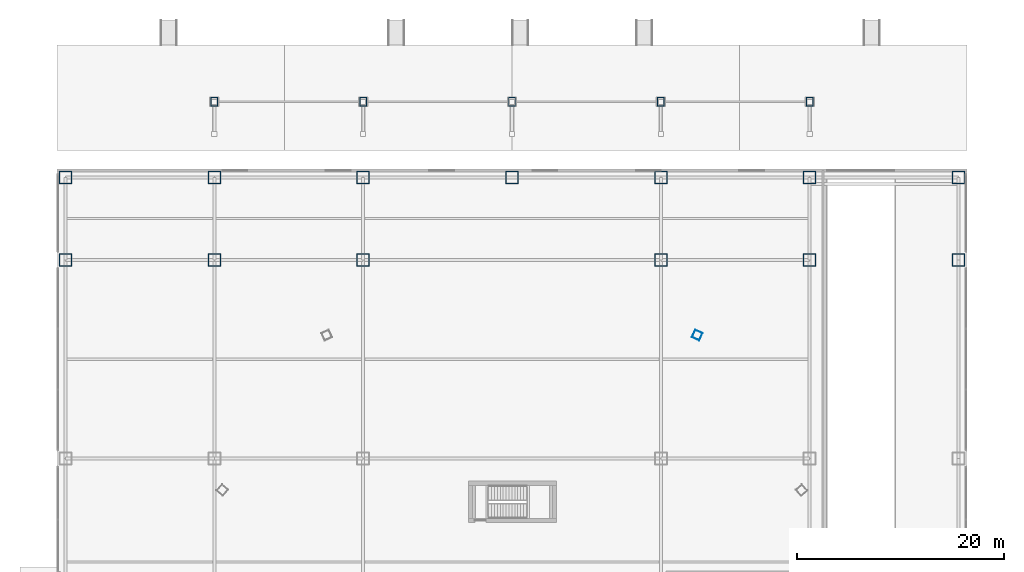
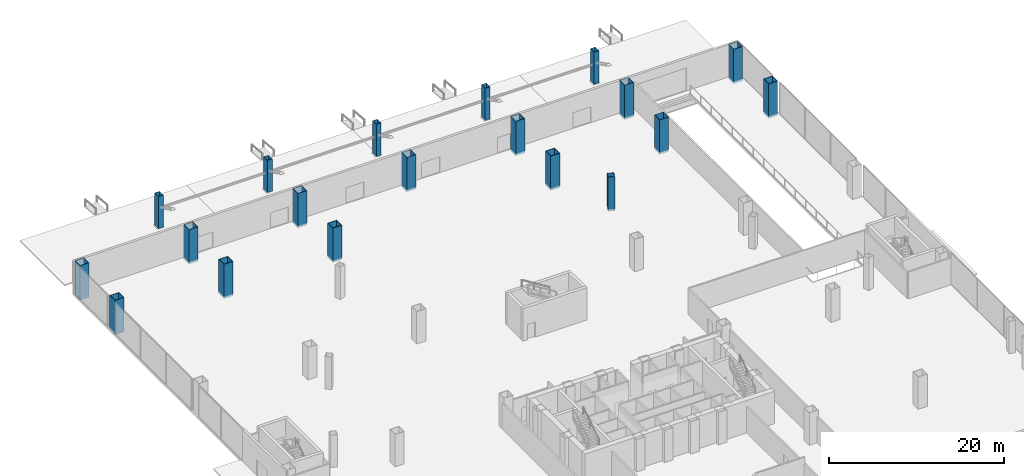
# One storey, part 3 of 58: 19 columns.
"""IFC4 building model written with IfcOpenShell, lengths in metres."""

from ifc_helpers import new_model, si_unit, direction, frame, origin, origin_2d, place, context, subcontext, project, spatial, hollow_rectangle, extrude, source, transform, mapped, material, material_profile, profile_set, type_object, element, save


model = new_model("IFC4")

# Units and contexts
model_context = context("Model", 3, precision=1e-05, world=origin(), true_north=direction((0.0, 1.0)))
body_context = subcontext(model_context, "Body", "Model", "MODEL_VIEW")
ifc_project = project(units=[si_unit("LENGTHUNIT", "METRE"), si_unit("AREAUNIT", "SQUARE_METRE"), si_unit("VOLUMEUNIT", "CUBIC_METRE"), si_unit("PLANEANGLEUNIT", "RADIAN"), si_unit("MASSUNIT", "GRAM", prefix="KILO"), si_unit("THERMODYNAMICTEMPERATUREUNIT", "KELVIN"), si_unit("POWERUNIT", "WATT")], contexts=[model_context])

# Site, building, storey
site_placement = place(None, origin())
site = spatial("IfcSite", under=ifc_project, at=site_placement, CompositionType="ELEMENT")
building_placement = place(site_placement, origin())
building = spatial("IfcBuilding", under=site, at=building_placement, Name="Yunzhuo Pagoda Commons", CompositionType="ELEMENT")
storey_placement = place(building_placement, origin())
storey = spatial("IfcBuildingStorey", under=building, at=storey_placement, Name="L01", CompositionType="ELEMENT", Elevation=0.0)

# Columns
ifc_material_1 = material(Name="Structural steel Q420B", Category="steel")
ifc_material_profile_1 = material_profile(ifc_material_1, hollow_rectangle(XDim=1.199951171875, YDim=1.199951171875, WallThickness=0.050048828125, at=origin_2d()), Name="Structural steel Q420B")
ifc_profile_set_1 = profile_set([ifc_material_profile_1], Name="Structural steel Q420B")
column_type_1 = type_object("IfcColumnType", Name="C-POD Column BOX 1200x1200x50", PredefinedType="COLUMN", material=ifc_profile_set_1)
shared_shape_1 = source(origin(), body_context, "Body", "SweptSolid", [
    extrude(hollow_rectangle(XDim=1.199951171875, YDim=1.199951171875, WallThickness=0.050048828125, at=origin_2d()), origin(), (0.0, 0.0, 1.0), 4.80029296875),
])
for number, where, z_axis, x_axis, name in (
    (1, (4.800048828125, 81.199951171875, -0.280029296875), (0.0, 0.0, 1.0), (1.0, 0.0, 0.0), "L01 podium column P1_5"),
    (2, (19.199951171875, 81.199951171875, -0.280029296875), (0.0, 0.0, 1.0), (1.0, 0.0, 0.0), "L01 podium column P2_5"),
    (3, (33.60009765625, 81.199951171875, -0.280029296875), (0.0, 0.0, 1.0), (1.0, 0.0, 0.0), "L01 podium column P3_5"),
    (4, (62.39990234375, 81.199951171875, -0.280029296875), (0.0, 0.0, 1.0), (1.0, 0.0, 0.0), "L01 podium column P4_5"),
    (5, (76.800048828125, 81.199951171875, -0.280029296875), (0.0, 0.0, 1.0), (1.0, 0.0, 0.0), "L01 podium column P5_5"),
    (6, (91.199951171875, 81.199951171875, -0.280029296875), (0.0, 0.0, 1.0), (1.0, 0.0, 0.0), "L01 podium column P6_5"),
    (7, (4.800048828125, 89.199951171875, -0.280029296875), (0.0, 0.0, 1.0), (1.0, 0.0, 0.0), "L01 north riverfront column NR1"),
    (8, (19.199951171875, 89.199951171875, -0.280029296875), (0.0, 0.0, 1.0), (1.0, 0.0, 0.0), "L01 north riverfront column NR2"),
    (9, (33.60009765625, 89.199951171875, -0.280029296875), (0.0, 0.0, 1.0), (1.0, 0.0, 0.0), "L01 north riverfront column NR3"),
    (10, (48.0, 89.199951171875, -0.280029296875), (0.0, 0.0, 1.0), (1.0, 0.0, 0.0), "L01 north riverfront column NR4"),
    (11, (62.39990234375, 89.199951171875, -0.280029296875), (0.0, 0.0, 1.0), (1.0, 0.0, 0.0), "L01 north riverfront column NR5"),
    (12, (76.800048828125, 89.199951171875, -0.280029296875), (0.0, 0.0, 1.0), (1.0, 0.0, 0.0), "L01 north riverfront column NR6"),
    (13, (91.199951171875, 89.199951171875, -0.280029296875), (0.0, 0.0, 1.0), (1.0, 0.0, 0.0), "L01 north riverfront column NR7"),
):
    element("IfcColumn", number, at=place(storey_placement, frame(where, z_axis=z_axis, x_axis=x_axis)), inside=storey, type_object=column_type_1, Name=name, PredefinedType="COLUMN", context=body_context, shape_type="MappedRepresentation", body=[
        mapped(shared_shape_1, transform((0.0, 0.0, 0.0), scale=1.0)),
    ])
ifc_material_profile_2 = material_profile(ifc_material_1, hollow_rectangle(XDim=0.800048828125, YDim=0.800048828125, WallThickness=0.031982421875, at=origin_2d()), Name="Structural steel Q420B")
ifc_profile_set_2 = profile_set([ifc_material_profile_2], Name="Structural steel Q420B")
column_type_2 = type_object("IfcColumnType", Name="C-BUT Column BOX 800x800x32", PredefinedType="COLUMN", material=ifc_profile_set_2)
shared_shape_2 = source(origin(), body_context, "Body", "SweptSolid", [
    extrude(hollow_rectangle(XDim=0.800048828125, YDim=0.800048828125, WallThickness=0.031982421875, at=origin_2d()), origin(), (0.0, 0.0, 1.0), 4.80029296875),
])
column_placement = place(storey_placement, frame((65.91259765625, 73.931884765625, -0.280029296875), z_axis=(0.0, 0.0, 1.0), x_axis=(-0.913545457643, 0.406736643076, 0.0)))
element("IfcColumn", 14, at=column_placement, inside=storey, type_object=column_type_2, Name="L01 podium transfer support column PR_F2C4", PredefinedType="COLUMN", context=body_context, shape_type="MappedRepresentation", body=[
    mapped(shared_shape_2, transform((0.0, 0.0, 0.0), scale=1.0)),
])
ifc_material_2 = material(Name="Structural steel Q355B", Category="steel")
ifc_material_profile_3 = material_profile(ifc_material_2, hollow_rectangle(XDim=0.64990234375, YDim=0.85009765625, WallThickness=0.030029296875, at=origin_2d()), Name="Structural steel Q355B")
ifc_profile_set_3 = profile_set([ifc_material_profile_3], Name="Structural steel Q355B")
column_type_3 = type_object("IfcColumnType", Name="C-PIL1 Pilaster BOX 850x650x30", PredefinedType="PILASTER", material=ifc_profile_set_3)
shared_shape_3 = source(origin(), body_context, "Body", "SweptSolid", [
    extrude(hollow_rectangle(XDim=0.64990234375, YDim=0.85009765625, WallThickness=0.030029296875, at=origin_2d()), origin(), (0.0, 0.0, 1.0), 4.520263671875),
])
for number, where, z_axis, x_axis, name in (
    (15, (19.199951171875, 96.5, 0.0), (0.0, 0.0, 1.0), (1.0, 0.0, 0.0), "North waterfront colonnade pilaster N1"),
    (16, (33.60009765625, 96.5, 0.0), (0.0, 0.0, 1.0), (1.0, 0.0, 0.0), "North waterfront colonnade pilaster N2"),
    (17, (48.0, 96.5, 0.0), (0.0, 0.0, 1.0), (1.0, 0.0, 0.0), "North waterfront colonnade pilaster N3"),
    (18, (62.39990234375, 96.5, 0.0), (0.0, 0.0, 1.0), (1.0, 0.0, 0.0), "North waterfront colonnade pilaster N4"),
    (19, (76.800048828125, 96.5, 0.0), (0.0, 0.0, 1.0), (1.0, 0.0, 0.0), "North waterfront colonnade pilaster N5"),
):
    element("IfcColumn", number, at=place(storey_placement, frame(where, z_axis=z_axis, x_axis=x_axis)), inside=storey, type_object=column_type_3, Name=name, PredefinedType="PILASTER", context=body_context, shape_type="MappedRepresentation", body=[
        mapped(shared_shape_3, transform((0.0, 0.0, 0.0), scale=1.0)),
    ])

save(model, "model.ifc")
